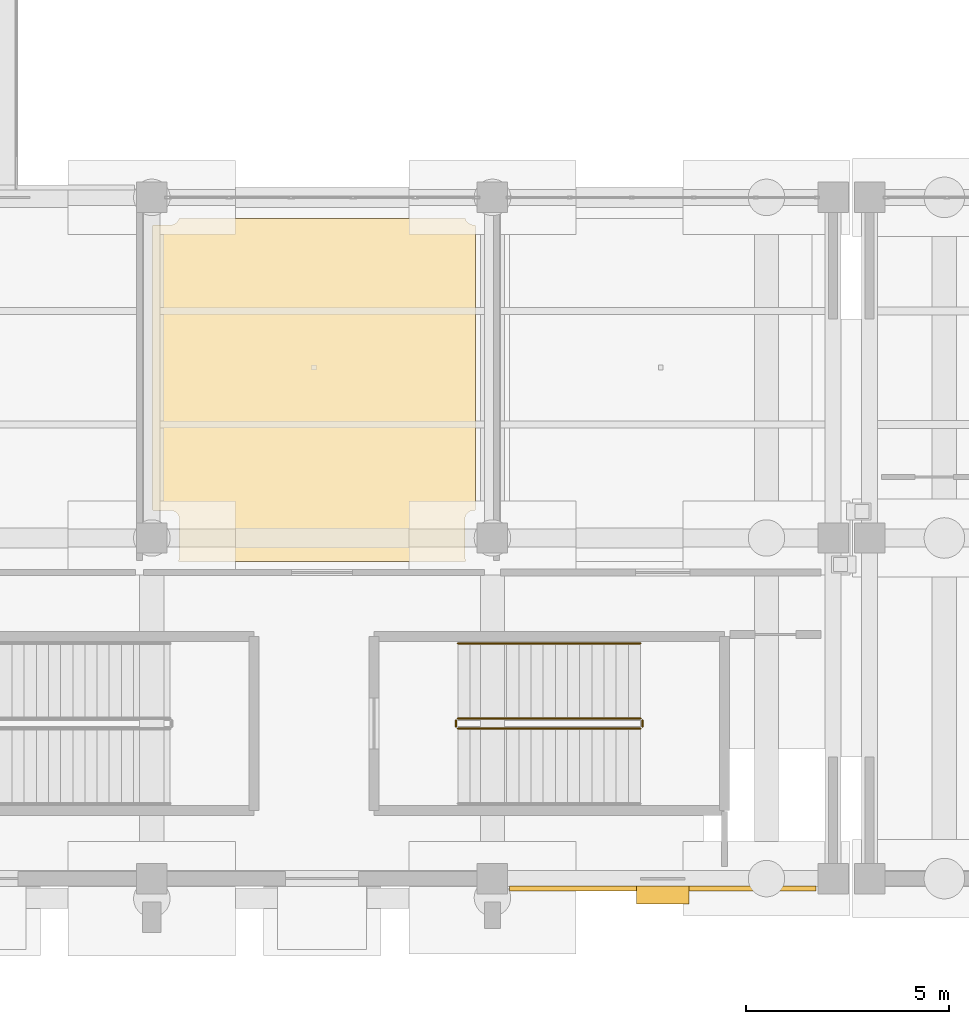
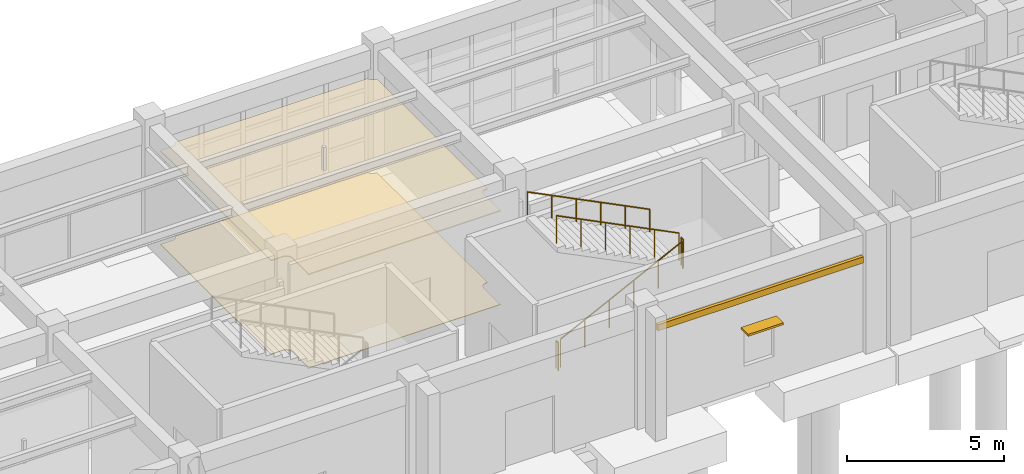
# One storey, part 24 of 29: 5 railings, 3 coverings, 1 shading device.
"""IFC4 building model written with IfcOpenShell, lengths in metres."""

from ifc_helpers import new_model, si_unit, direction, frame, origin, origin_2d, place, context, subcontext, project, spatial, polyline, rectangle, circle, outline, extrude, material, layer, layer_set, type_object, element, save


model = new_model("IFC4")

# Units and contexts
model_context = context("Model", 3, precision=1e-05, world=origin(), true_north=direction((0.0, 1.0)))
body_context = subcontext(model_context, "Body", "Model", "MODEL_VIEW")
ifc_project = project(units=[si_unit("LENGTHUNIT", "METRE"), si_unit("AREAUNIT", "SQUARE_METRE"), si_unit("VOLUMEUNIT", "CUBIC_METRE"), si_unit("PLANEANGLEUNIT", "RADIAN"), si_unit("MASSUNIT", "GRAM", prefix="KILO")], contexts=[model_context])

# Site, building, storey
site_placement = place(None, origin())
site = spatial("IfcSite", under=ifc_project, at=site_placement, CompositionType="ELEMENT")
building_placement = place(site_placement, origin())
building = spatial("IfcBuilding", under=site, at=building_placement, Name="Canglan Escarpment Cableway Terminal", CompositionType="ELEMENT")
storey_placement = place(building_placement, origin())
storey = spatial("IfcBuildingStorey", under=building, at=storey_placement, Name="L00", CompositionType="ELEMENT", Elevation=0.0)

# Coverings
ifc_material_1 = material(Name="Micro-perforated acoustic aluminium ceiling", Category="aluminium")
ifc_layer_1 = layer(ifc_material_1, 0.0400390625, Name="Micro-perforated acoustic aluminium ceiling")
ifc_layer_set_1 = layer_set([ifc_layer_1], Name="Micro-perforated acoustic aluminium ceiling")
covering_type_1 = type_object("IfcCoveringType", Name="COV-CEIL-ACOUSTIC-40", PredefinedType="CEILING", material=ifc_layer_set_1)
covering_1_placement = place(storey_placement, frame((0.0, 0.0, 3.6298828125)))
element("IfcCovering", 1, at=covering_1_placement, inside=storey, type_object=covering_type_1, Name="Baggage Check Hall suspended acoustic ceiling", PredefinedType="CEILING", context=body_context, shape_type="SweptSolid", body=[
    extrude(outline(polyline([(25.477783203125, 15.820068359375), (25.47607421875, 15.820068359375), (25.47412109375, 15.8203125), (25.47216796875, 15.82080078125), (25.470458984375, 15.821533203125), (25.46875, 15.822265625), (25.467041015625, 15.8232421875), (25.465576171875, 15.82421875), (25.464111328125, 15.82568359375), (25.462646484375, 15.826904296875), (25.46142578125, 15.82861328125), (25.46044921875, 15.830078125), (25.459716796875, 15.831787109375), (25.458984375, 15.83349609375), (25.45849609375, 15.83544921875), (25.4580078125, 15.83740234375), (25.4580078125, 15.83935546875), (25.4580078125, 15.84130859375), (25.4580078125, 15.843017578125), (25.45849609375, 15.844970703125), (25.458984375, 15.8466796875), (25.459716796875, 15.8486328125), (25.462890625, 15.85546875), (25.46337890625, 15.856201171875), (25.470458984375, 15.875732421875), (25.470703125, 15.876708984375), (25.4755859375, 15.896484375), (25.475830078125, 15.897705078125), (25.47900390625, 15.91796875), (25.47900390625, 15.9189453125), (25.47998046875, 15.939697265625), (25.47998046875, 15.940185546875), (25.47998046875, 16.85986328125), (25.47998046875, 16.860107421875), (25.47900390625, 16.881103515625), (25.47900390625, 16.882080078125), (25.475830078125, 16.90234375), (25.4755859375, 16.9033203125), (25.470703125, 16.92333984375), (25.470458984375, 16.92431640625), (25.46337890625, 16.943603515625), (25.462890625, 16.944580078125), (25.4541015625, 16.96337890625), (25.453857421875, 16.964111328125), (25.443115234375, 16.981689453125), (25.442626953125, 16.982666015625), (25.430419921875, 16.999267578125), (25.4296875, 17.0), (25.416015625, 17.01513671875), (25.415283203125, 17.015869140625), (25.39990234375, 17.02978515625), (25.399169921875, 17.030517578125), (25.382568359375, 17.04248046875), (25.3818359375, 17.043212890625), (25.364013671875, 17.0537109375), (25.36328125, 17.05419921875), (25.344482421875, 17.06298828125), (25.34375, 17.0634765625), (25.32421875, 17.0703125), (25.323486328125, 17.070556640625), (25.303466796875, 17.07568359375), (25.302490234375, 17.07568359375), (25.281982421875, 17.078857421875), (25.281005859375, 17.0791015625), (25.26025390625, 17.080078125), (25.259765625, 17.080078125), (24.840087890625, 17.080078125), (24.837890625, 17.080078125), (24.836181640625, 17.080322265625), (24.834228515625, 17.080810546875), (24.832275390625, 17.08154296875), (24.83056640625, 17.08251953125), (24.828857421875, 17.08349609375), (24.827392578125, 17.08447265625), (24.825927734375, 17.0859375), (24.824462890625, 17.08740234375), (24.823486328125, 17.0888671875), (24.822509765625, 17.090576171875), (24.821533203125, 17.09228515625), (24.82080078125, 17.09423828125), (24.8203125, 17.09619140625), (24.820068359375, 17.097900390625), (24.820068359375, 17.10009765625), (24.820068359375, 24.10009765625), (24.820068359375, 24.10205078125), (24.8203125, 24.10400390625), (24.82080078125, 24.105712890625), (24.821533203125, 24.107666015625), (24.822509765625, 24.109375), (24.823486328125, 24.111083984375), (24.824462890625, 24.11279296875), (24.825927734375, 24.114013671875), (24.827392578125, 24.115478515625), (24.828857421875, 24.11669921875), (24.83056640625, 24.11767578125), (24.832275390625, 24.118408203125), (24.834228515625, 24.119140625), (24.836181640625, 24.11962890625), (24.837890625, 24.119873046875), (24.840087890625, 24.1201171875), (25.259765625, 24.1201171875), (25.26025390625, 24.1201171875), (25.281005859375, 24.12109375), (25.281982421875, 24.12109375), (25.302490234375, 24.124267578125), (25.303466796875, 24.124267578125), (25.323486328125, 24.12939453125), (25.32421875, 24.129638671875), (25.34375, 24.13671875), (25.344482421875, 24.136962890625), (25.36328125, 24.145751953125), (25.364013671875, 24.146240234375), (25.3818359375, 24.15673828125), (25.382568359375, 24.157470703125), (25.399169921875, 24.169677734375), (25.39990234375, 24.17041015625), (25.415283203125, 24.18408203125), (25.416015625, 24.184814453125), (25.4296875, 24.2001953125), (25.430419921875, 24.20068359375), (25.442626953125, 24.21728515625), (25.443115234375, 24.21826171875), (25.453857421875, 24.23583984375), (25.4541015625, 24.23681640625), (25.462890625, 24.25537109375), (25.46337890625, 24.25634765625), (25.46728515625, 24.2666015625), (25.468017578125, 24.2685546875), (25.46875, 24.270263671875), (25.4697265625, 24.271728515625), (25.470947265625, 24.273193359375), (25.472412109375, 24.274658203125), (25.4736328125, 24.27587890625), (25.475341796875, 24.27685546875), (25.476806640625, 24.27783203125), (25.478515625, 24.278564453125), (25.48046875, 24.279296875), (25.482177734375, 24.279541015625), (25.484130859375, 24.27978515625), (25.486083984375, 24.280029296875), (32.513916015625, 24.280029296875), (32.51611328125, 24.27978515625), (32.51806640625, 24.279541015625), (32.52001953125, 24.279052734375), (32.52197265625, 24.2783203125), (32.523681640625, 24.27734375), (32.525390625, 24.2763671875), (32.527099609375, 24.275146484375), (32.528564453125, 24.273681640625), (32.52978515625, 24.272216796875), (32.531005859375, 24.2705078125), (32.531982421875, 24.2685546875), (32.53271484375, 24.2666015625), (32.53662109375, 24.25634765625), (32.537109375, 24.25537109375), (32.5458984375, 24.23681640625), (32.546142578125, 24.23583984375), (32.556884765625, 24.21826171875), (32.557373046875, 24.21728515625), (32.569580078125, 24.20068359375), (32.5703125, 24.2001953125), (32.583984375, 24.184814453125), (32.584716796875, 24.18408203125), (32.60009765625, 24.17041015625), (32.600830078125, 24.169677734375), (32.617431640625, 24.157470703125), (32.6181640625, 24.15673828125), (32.635986328125, 24.146240234375), (32.63671875, 24.145751953125), (32.655517578125, 24.136962890625), (32.65625, 24.13671875), (32.67578125, 24.129638671875), (32.676513671875, 24.12939453125), (32.696533203125, 24.124267578125), (32.697509765625, 24.124267578125), (32.718017578125, 24.12109375), (32.718994140625, 24.12109375), (32.73974609375, 24.1201171875), (32.740234375, 24.1201171875), (32.760009765625, 24.1201171875), (32.761962890625, 24.119873046875), (32.763916015625, 24.11962890625), (32.765869140625, 24.119140625), (32.767578125, 24.118408203125), (32.769287109375, 24.11767578125), (32.77099609375, 24.11669921875), (32.772705078125, 24.115478515625), (32.774169921875, 24.114013671875), (32.775390625, 24.11279296875), (32.776611328125, 24.111083984375), (32.777587890625, 24.109375), (32.778564453125, 24.107666015625), (32.779052734375, 24.105712890625), (32.779541015625, 24.10400390625), (32.77978515625, 24.10205078125), (32.780029296875, 24.10009765625), (32.780029296875, 17.10009765625), (32.77978515625, 17.097900390625), (32.779541015625, 17.09619140625), (32.779052734375, 17.09423828125), (32.778564453125, 17.09228515625), (32.777587890625, 17.090576171875), (32.776611328125, 17.0888671875), (32.775390625, 17.08740234375), (32.774169921875, 17.0859375), (32.772705078125, 17.08447265625), (32.77099609375, 17.08349609375), (32.769287109375, 17.08251953125), (32.767578125, 17.08154296875), (32.765869140625, 17.080810546875), (32.763916015625, 17.080322265625), (32.761962890625, 17.080078125), (32.760009765625, 17.080078125), (32.740234375, 17.080078125), (32.73974609375, 17.080078125), (32.718994140625, 17.0791015625), (32.718017578125, 17.078857421875), (32.697509765625, 17.07568359375), (32.696533203125, 17.07568359375), (32.676513671875, 17.070556640625), (32.67578125, 17.0703125), (32.65625, 17.0634765625), (32.655517578125, 17.06298828125), (32.63671875, 17.05419921875), (32.635986328125, 17.0537109375), (32.6181640625, 17.043212890625), (32.617431640625, 17.04248046875), (32.600830078125, 17.030517578125), (32.60009765625, 17.02978515625), (32.584716796875, 17.015869140625), (32.583984375, 17.01513671875), (32.5703125, 17.0), (32.569580078125, 16.999267578125), (32.557373046875, 16.982666015625), (32.556884765625, 16.981689453125), (32.546142578125, 16.964111328125), (32.5458984375, 16.96337890625), (32.537109375, 16.944580078125), (32.53662109375, 16.943603515625), (32.529541015625, 16.92431640625), (32.529296875, 16.92333984375), (32.5244140625, 16.9033203125), (32.524169921875, 16.90234375), (32.52099609375, 16.882080078125), (32.52099609375, 16.881103515625), (32.52001953125, 16.860107421875), (32.52001953125, 16.85986328125), (32.52001953125, 15.940185546875), (32.52001953125, 15.939697265625), (32.52099609375, 15.9189453125), (32.52099609375, 15.91796875), (32.524169921875, 15.897705078125), (32.5244140625, 15.896484375), (32.529296875, 15.876708984375), (32.529541015625, 15.875732421875), (32.53662109375, 15.856201171875), (32.537109375, 15.85546875), (32.540283203125, 15.8486328125), (32.541015625, 15.8466796875), (32.54150390625, 15.8447265625), (32.5419921875, 15.8427734375), (32.5419921875, 15.8408203125), (32.5419921875, 15.8388671875), (32.541748046875, 15.8369140625), (32.54150390625, 15.834716796875), (32.540771484375, 15.8330078125), (32.5400390625, 15.8310546875), (32.5390625, 15.829345703125), (32.537841796875, 15.82763671875), (32.53662109375, 15.826171875), (32.53515625, 15.82470703125), (32.533447265625, 15.823486328125), (32.53173828125, 15.822509765625), (32.52978515625, 15.821533203125), (32.528076171875, 15.82080078125), (32.526123046875, 15.8203125), (32.524169921875, 15.820068359375), (32.522216796875, 15.820068359375), (25.477783203125, 15.820068359375)])), origin(), (0.0, 0.0, 1.0), 0.0400390625),
])
ifc_material_2 = material(Name="Carved classical limestone cornice", Category="masonry")
ifc_layer_2 = layer(ifc_material_2, 0.1201171875, Name="Carved classical limestone cornice")
ifc_layer_set_2 = layer_set([ifc_layer_2], Name="Carved classical limestone cornice")
covering_type_2 = type_object("IfcCoveringType", Name="COV-CORNICE-STONE", PredefinedType="CLADDING", material=ifc_layer_set_2)
covering_2_placement = place(storey_placement, frame((37.39990234375, 7.760009765625, 3.52490234375), z_axis=(0.0, 0.0, 1.0), x_axis=(1.0, 0.0, 0.0)))
element("IfcCovering", 2, at=covering_2_placement, inside=storey, type_object=covering_type_2, Name="Classical carved limestone cornice CL-01", PredefinedType="CLADDING", context=body_context, shape_type="SweptSolid", body=[
    extrude(rectangle(XDim=7.550048828125, YDim=0.1201171875, at=origin_2d()), origin(), (0.0, 0.0, 1.0), 0.239990234375),
])
ifc_material_3 = material(Name="Honed Sichuan grey granite flooring", Category="masonry")
ifc_layer_3 = layer(ifc_material_3, 0.02001953125, Name="Honed Sichuan grey granite flooring")
ifc_layer_set_3 = layer_set([ifc_layer_3], Name="Honed Sichuan grey granite flooring")
covering_type_3 = type_object("IfcCoveringType", Name="COV-FLR-GRANITE-20", PredefinedType="FLOORING", material=ifc_layer_set_3)
covering_3_placement = place(storey_placement, origin())
element("IfcCovering", 3, at=covering_3_placement, inside=storey, type_object=covering_type_3, Name="Baggage Check Hall stone floor finish", PredefinedType="FLOORING", context=body_context, shape_type="SweptSolid", body=[
    extrude(outline(polyline([(25.477783203125, 15.820068359375), (25.47607421875, 15.820068359375), (25.47412109375, 15.8203125), (25.47216796875, 15.82080078125), (25.470458984375, 15.821533203125), (25.46875, 15.822265625), (25.467041015625, 15.8232421875), (25.465576171875, 15.82421875), (25.464111328125, 15.82568359375), (25.462646484375, 15.826904296875), (25.46142578125, 15.82861328125), (25.46044921875, 15.830078125), (25.459716796875, 15.831787109375), (25.458984375, 15.83349609375), (25.45849609375, 15.83544921875), (25.4580078125, 15.83740234375), (25.4580078125, 15.83935546875), (25.4580078125, 15.84130859375), (25.4580078125, 15.843017578125), (25.45849609375, 15.844970703125), (25.458984375, 15.8466796875), (25.459716796875, 15.8486328125), (25.462890625, 15.85546875), (25.46337890625, 15.856201171875), (25.470458984375, 15.875732421875), (25.470703125, 15.876708984375), (25.4755859375, 15.896484375), (25.475830078125, 15.897705078125), (25.47900390625, 15.91796875), (25.47900390625, 15.9189453125), (25.47998046875, 15.939697265625), (25.47998046875, 15.940185546875), (25.47998046875, 16.85986328125), (25.47998046875, 16.860107421875), (25.47900390625, 16.881103515625), (25.47900390625, 16.882080078125), (25.475830078125, 16.90234375), (25.4755859375, 16.9033203125), (25.470703125, 16.92333984375), (25.470458984375, 16.92431640625), (25.46337890625, 16.943603515625), (25.462890625, 16.944580078125), (25.4541015625, 16.96337890625), (25.453857421875, 16.964111328125), (25.443115234375, 16.981689453125), (25.442626953125, 16.982666015625), (25.430419921875, 16.999267578125), (25.4296875, 17.0), (25.416015625, 17.01513671875), (25.415283203125, 17.015869140625), (25.39990234375, 17.02978515625), (25.399169921875, 17.030517578125), (25.382568359375, 17.04248046875), (25.3818359375, 17.043212890625), (25.364013671875, 17.0537109375), (25.36328125, 17.05419921875), (25.344482421875, 17.06298828125), (25.34375, 17.0634765625), (25.32421875, 17.0703125), (25.323486328125, 17.070556640625), (25.303466796875, 17.07568359375), (25.302490234375, 17.07568359375), (25.281982421875, 17.078857421875), (25.281005859375, 17.0791015625), (25.26025390625, 17.080078125), (25.259765625, 17.080078125), (24.840087890625, 17.080078125), (24.837890625, 17.080078125), (24.836181640625, 17.080322265625), (24.834228515625, 17.080810546875), (24.832275390625, 17.08154296875), (24.83056640625, 17.08251953125), (24.828857421875, 17.08349609375), (24.827392578125, 17.08447265625), (24.825927734375, 17.0859375), (24.824462890625, 17.08740234375), (24.823486328125, 17.0888671875), (24.822509765625, 17.090576171875), (24.821533203125, 17.09228515625), (24.82080078125, 17.09423828125), (24.8203125, 17.09619140625), (24.820068359375, 17.097900390625), (24.820068359375, 17.10009765625), (24.820068359375, 24.10009765625), (24.820068359375, 24.10205078125), (24.8203125, 24.10400390625), (24.82080078125, 24.105712890625), (24.821533203125, 24.107666015625), (24.822509765625, 24.109375), (24.823486328125, 24.111083984375), (24.824462890625, 24.11279296875), (24.825927734375, 24.114013671875), (24.827392578125, 24.115478515625), (24.828857421875, 24.11669921875), (24.83056640625, 24.11767578125), (24.832275390625, 24.118408203125), (24.834228515625, 24.119140625), (24.836181640625, 24.11962890625), (24.837890625, 24.119873046875), (24.840087890625, 24.1201171875), (25.259765625, 24.1201171875), (25.26025390625, 24.1201171875), (25.281005859375, 24.12109375), (25.281982421875, 24.12109375), (25.302490234375, 24.124267578125), (25.303466796875, 24.124267578125), (25.323486328125, 24.12939453125), (25.32421875, 24.129638671875), (25.34375, 24.13671875), (25.344482421875, 24.136962890625), (25.36328125, 24.145751953125), (25.364013671875, 24.146240234375), (25.3818359375, 24.15673828125), (25.382568359375, 24.157470703125), (25.399169921875, 24.169677734375), (25.39990234375, 24.17041015625), (25.415283203125, 24.18408203125), (25.416015625, 24.184814453125), (25.4296875, 24.2001953125), (25.430419921875, 24.20068359375), (25.442626953125, 24.21728515625), (25.443115234375, 24.21826171875), (25.453857421875, 24.23583984375), (25.4541015625, 24.23681640625), (25.462890625, 24.25537109375), (25.46337890625, 24.25634765625), (25.46728515625, 24.2666015625), (25.468017578125, 24.2685546875), (25.46875, 24.270263671875), (25.4697265625, 24.271728515625), (25.470947265625, 24.273193359375), (25.472412109375, 24.274658203125), (25.4736328125, 24.27587890625), (25.475341796875, 24.27685546875), (25.476806640625, 24.27783203125), (25.478515625, 24.278564453125), (25.48046875, 24.279296875), (25.482177734375, 24.279541015625), (25.484130859375, 24.27978515625), (25.486083984375, 24.280029296875), (32.513916015625, 24.280029296875), (32.51611328125, 24.27978515625), (32.51806640625, 24.279541015625), (32.52001953125, 24.279052734375), (32.52197265625, 24.2783203125), (32.523681640625, 24.27734375), (32.525390625, 24.2763671875), (32.527099609375, 24.275146484375), (32.528564453125, 24.273681640625), (32.52978515625, 24.272216796875), (32.531005859375, 24.2705078125), (32.531982421875, 24.2685546875), (32.53271484375, 24.2666015625), (32.53662109375, 24.25634765625), (32.537109375, 24.25537109375), (32.5458984375, 24.23681640625), (32.546142578125, 24.23583984375), (32.556884765625, 24.21826171875), (32.557373046875, 24.21728515625), (32.569580078125, 24.20068359375), (32.5703125, 24.2001953125), (32.583984375, 24.184814453125), (32.584716796875, 24.18408203125), (32.60009765625, 24.17041015625), (32.600830078125, 24.169677734375), (32.617431640625, 24.157470703125), (32.6181640625, 24.15673828125), (32.635986328125, 24.146240234375), (32.63671875, 24.145751953125), (32.655517578125, 24.136962890625), (32.65625, 24.13671875), (32.67578125, 24.129638671875), (32.676513671875, 24.12939453125), (32.696533203125, 24.124267578125), (32.697509765625, 24.124267578125), (32.718017578125, 24.12109375), (32.718994140625, 24.12109375), (32.73974609375, 24.1201171875), (32.740234375, 24.1201171875), (32.760009765625, 24.1201171875), (32.761962890625, 24.119873046875), (32.763916015625, 24.11962890625), (32.765869140625, 24.119140625), (32.767578125, 24.118408203125), (32.769287109375, 24.11767578125), (32.77099609375, 24.11669921875), (32.772705078125, 24.115478515625), (32.774169921875, 24.114013671875), (32.775390625, 24.11279296875), (32.776611328125, 24.111083984375), (32.777587890625, 24.109375), (32.778564453125, 24.107666015625), (32.779052734375, 24.105712890625), (32.779541015625, 24.10400390625), (32.77978515625, 24.10205078125), (32.780029296875, 24.10009765625), (32.780029296875, 17.10009765625), (32.77978515625, 17.097900390625), (32.779541015625, 17.09619140625), (32.779052734375, 17.09423828125), (32.778564453125, 17.09228515625), (32.777587890625, 17.090576171875), (32.776611328125, 17.0888671875), (32.775390625, 17.08740234375), (32.774169921875, 17.0859375), (32.772705078125, 17.08447265625), (32.77099609375, 17.08349609375), (32.769287109375, 17.08251953125), (32.767578125, 17.08154296875), (32.765869140625, 17.080810546875), (32.763916015625, 17.080322265625), (32.761962890625, 17.080078125), (32.760009765625, 17.080078125), (32.740234375, 17.080078125), (32.73974609375, 17.080078125), (32.718994140625, 17.0791015625), (32.718017578125, 17.078857421875), (32.697509765625, 17.07568359375), (32.696533203125, 17.07568359375), (32.676513671875, 17.070556640625), (32.67578125, 17.0703125), (32.65625, 17.0634765625), (32.655517578125, 17.06298828125), (32.63671875, 17.05419921875), (32.635986328125, 17.0537109375), (32.6181640625, 17.043212890625), (32.617431640625, 17.04248046875), (32.600830078125, 17.030517578125), (32.60009765625, 17.02978515625), (32.584716796875, 17.015869140625), (32.583984375, 17.01513671875), (32.5703125, 17.0), (32.569580078125, 16.999267578125), (32.557373046875, 16.982666015625), (32.556884765625, 16.981689453125), (32.546142578125, 16.964111328125), (32.5458984375, 16.96337890625), (32.537109375, 16.944580078125), (32.53662109375, 16.943603515625), (32.529541015625, 16.92431640625), (32.529296875, 16.92333984375), (32.5244140625, 16.9033203125), (32.524169921875, 16.90234375), (32.52099609375, 16.882080078125), (32.52099609375, 16.881103515625), (32.52001953125, 16.860107421875), (32.52001953125, 16.85986328125), (32.52001953125, 15.940185546875), (32.52001953125, 15.939697265625), (32.52099609375, 15.9189453125), (32.52099609375, 15.91796875), (32.524169921875, 15.897705078125), (32.5244140625, 15.896484375), (32.529296875, 15.876708984375), (32.529541015625, 15.875732421875), (32.53662109375, 15.856201171875), (32.537109375, 15.85546875), (32.540283203125, 15.8486328125), (32.541015625, 15.8466796875), (32.54150390625, 15.8447265625), (32.5419921875, 15.8427734375), (32.5419921875, 15.8408203125), (32.5419921875, 15.8388671875), (32.541748046875, 15.8369140625), (32.54150390625, 15.834716796875), (32.540771484375, 15.8330078125), (32.5400390625, 15.8310546875), (32.5390625, 15.829345703125), (32.537841796875, 15.82763671875), (32.53662109375, 15.826171875), (32.53515625, 15.82470703125), (32.533447265625, 15.823486328125), (32.53173828125, 15.822509765625), (32.52978515625, 15.821533203125), (32.528076171875, 15.82080078125), (32.526123046875, 15.8203125), (32.524169921875, 15.820068359375), (32.522216796875, 15.820068359375), (25.477783203125, 15.820068359375)])), origin(), (0.0, 0.0, 1.0), 0.02001953125),
])

# Railings
ifc_material_4 = material(Name="Powder-coated steel stair balustrade", Category="steel")
railing_type_1 = type_object("IfcRailingType", Name="RL-STR-GUARD-1100", PredefinedType="BALUSTRADE", material=ifc_material_4)
railing_1_placement = place(storey_placement, frame((32.35009765625, 11.699951171875, 0.14990234375)))
element("IfcRailing", 4, at=railing_1_placement, inside=storey, type_object=railing_type_1, Name="L00 ST-02 stair guard 1", PredefinedType="BALUSTRADE", context=body_context, shape_type="SweptSolid", body=[
    extrude(circle(Radius=0.02392578125, at=origin_2d()), frame((0.0, 0.0, 1.076171875), z_axis=(0.894427191, 0.0, 0.4472135955), x_axis=(0.0, 1.0, 0.0)), (0.0, 0.0, 1.0), 5.03125),
    extrude(circle(Radius=0.02099609375, at=origin_2d()), origin(), (0.0, 0.0, 1.0), 1.052001953125),
    extrude(circle(Radius=0.02099609375, at=origin_2d()), frame((0.89990234375, 0.0, 0.449951171875)), (0.0, 0.0, 1.0), 1.052001953125),
    extrude(circle(Radius=0.02099609375, at=origin_2d()), frame((1.800048828125, 0.0, 0.89990234375)), (0.0, 0.0, 1.0), 1.052001953125),
    extrude(circle(Radius=0.02099609375, at=origin_2d()), frame((2.699951171875, 0.0, 1.35009765625)), (0.0, 0.0, 1.0), 1.052001953125),
    extrude(circle(Radius=0.02099609375, at=origin_2d()), frame((3.60009765625, 0.0, 1.800048828125)), (0.0, 0.0, 1.0), 1.052001953125),
    extrude(circle(Radius=0.02099609375, at=origin_2d()), frame((4.5, 0.0, 2.25)), (0.0, 0.0, 1.0), 1.052001953125),
])
railing_2_placement = place(storey_placement, frame((36.89990234375, 11.75, 2.39990234375)))
element("IfcRailing", 5, at=railing_2_placement, inside=storey, type_object=railing_type_1, Name="L00 ST-02 stair guard 2", PredefinedType="BALUSTRADE", context=body_context, shape_type="SweptSolid", body=[
    extrude(circle(Radius=0.02392578125, at=origin_2d()), frame((0.0, 0.0, 1.076171875), z_axis=(0.0, 1.0, 0.0), x_axis=(-1.0, 0.0, 0.0)), (0.0, 0.0, 1.0), 0.14990234375),
    extrude(circle(Radius=0.02099609375, at=origin_2d()), origin(), (0.0, 0.0, 1.0), 1.052001953125),
    extrude(circle(Radius=0.02099609375, at=origin_2d()), frame((0.0, 0.14990234375, 0.0)), (0.0, 0.0, 1.0), 1.052001953125),
])
railing_3_placement = place(storey_placement, frame((36.85009765625, 11.949951171875, 2.550048828125)))
element("IfcRailing", 6, at=railing_3_placement, inside=storey, type_object=railing_type_1, Name="L00 ST-02 stair guard 3", PredefinedType="BALUSTRADE", context=body_context, shape_type="SweptSolid", body=[
    extrude(circle(Radius=0.02392578125, at=origin_2d()), frame((0.0, 0.0, 1.076171875), z_axis=(-0.894427191, 0.0, 0.4472135955), x_axis=(0.0, -1.0, 0.0)), (0.0, 0.0, 1.0), 5.03125),
    extrude(circle(Radius=0.02099609375, at=origin_2d()), origin(), (0.0, 0.0, 1.0), 1.052001953125),
    extrude(circle(Radius=0.02099609375, at=origin_2d()), frame((-0.89990234375, 0.0, 0.449951171875)), (0.0, 0.0, 1.0), 1.052001953125),
    extrude(circle(Radius=0.02099609375, at=origin_2d()), frame((-1.800048828125, 0.0, 0.89990234375)), (0.0, 0.0, 1.0), 1.052001953125),
    extrude(circle(Radius=0.02099609375, at=origin_2d()), frame((-2.699951171875, 0.0, 1.35009765625)), (0.0, 0.0, 1.0), 1.052001953125),
    extrude(circle(Radius=0.02099609375, at=origin_2d()), frame((-3.60009765625, 0.0, 1.800048828125)), (0.0, 0.0, 1.0), 1.052001953125),
    extrude(circle(Radius=0.02099609375, at=origin_2d()), frame((-4.5, 0.0, 2.25)), (0.0, 0.0, 1.0), 1.052001953125),
])
railing_4_placement = place(storey_placement, frame((32.300048828125, 11.75, 0.0)))
element("IfcRailing", 7, at=railing_4_placement, inside=storey, type_object=railing_type_1, Name="L00 ST-02 stair guard 4", PredefinedType="BALUSTRADE", context=body_context, shape_type="SweptSolid", body=[
    extrude(circle(Radius=0.02392578125, at=origin_2d()), frame((0.0, 0.0, 1.076171875), z_axis=(0.0, 1.0, 0.0), x_axis=(-1.0, 0.0, 0.0)), (0.0, 0.0, 1.0), 0.14990234375),
    extrude(circle(Radius=0.02099609375, at=origin_2d()), origin(), (0.0, 0.0, 1.0), 1.052001953125),
    extrude(circle(Radius=0.02099609375, at=origin_2d()), frame((0.0, 0.14990234375, 0.0)), (0.0, 0.0, 1.0), 1.052001953125),
])
ifc_material_5 = material(Name="Brushed stainless steel 304 handrail", Category="steel")
railing_type_2 = type_object("IfcRailingType", Name="RL-STR-HR-900", PredefinedType="HANDRAIL", material=ifc_material_5)
railing_5_placement = place(storey_placement, frame((36.85009765625, 13.800048828125, 2.550048828125)))
element("IfcRailing", 8, at=railing_5_placement, inside=storey, type_object=railing_type_2, Name="L00 ST-02 stair handrail 2", PredefinedType="HANDRAIL", context=body_context, shape_type="SweptSolid", body=[
    extrude(circle(Radius=0.02392578125, at=origin_2d()), frame((0.0, 0.0, 0.8759765625), z_axis=(-0.894427191, 0.0, 0.4472135955), x_axis=(0.0, -1.0, 0.0)), (0.0, 0.0, 1.0), 5.03125),
    extrude(circle(Radius=0.02099609375, at=origin_2d()), origin(), (0.0, 0.0, 1.0), 0.851806640625),
    extrude(circle(Radius=0.02099609375, at=origin_2d()), frame((-0.89990234375, 0.0, 0.449951171875)), (0.0, 0.0, 1.0), 0.851806640625),
    extrude(circle(Radius=0.02099609375, at=origin_2d()), frame((-1.800048828125, 0.0, 0.89990234375)), (0.0, 0.0, 1.0), 0.851806640625),
    extrude(circle(Radius=0.02099609375, at=origin_2d()), frame((-2.699951171875, 0.0, 1.35009765625)), (0.0, 0.0, 1.0), 0.851806640625),
    extrude(circle(Radius=0.02099609375, at=origin_2d()), frame((-3.60009765625, 0.0, 1.800048828125)), (0.0, 0.0, 1.0), 0.851806640625),
    extrude(circle(Radius=0.02099609375, at=origin_2d()), frame((-4.5, 0.0, 2.25)), (0.0, 0.0, 1.0), 0.851806640625),
])

# Shading device
ifc_material_6 = material(Name="Anodized architectural bronze aluminium", Category="aluminium")
ifc_layer_4 = layer(ifc_material_6, 0.080078125, Name="Anodized architectural bronze aluminium")
ifc_layer_set_4 = layer_set([ifc_layer_4], Name="Anodized architectural bronze aluminium")
shading_device_type = type_object("IfcShadingDeviceType", Name="SHD-BRONZE-LOUVRE-01", PredefinedType="JALOUSIE", material=ifc_layer_set_4)
shading_device_placement = place(storey_placement, frame((37.39990234375, 7.594970703125, 2.419921875), z_axis=(0.0, 0.0, 1.0), x_axis=(1.0, 0.0, 0.0)))
element("IfcShadingDevice", 9, at=shading_device_placement, inside=storey, type_object=shading_device_type, Name="Anodized bronze sun-shading brise-soleil SD-01", PredefinedType="JALOUSIE", context=body_context, shape_type="SweptSolid", body=[
    extrude(rectangle(XDim=1.300048828125, YDim=0.449951171875, at=origin_2d()), origin(), (0.0, 0.0, 1.0), 0.080078125),
])

save(model, "model.ifc")
